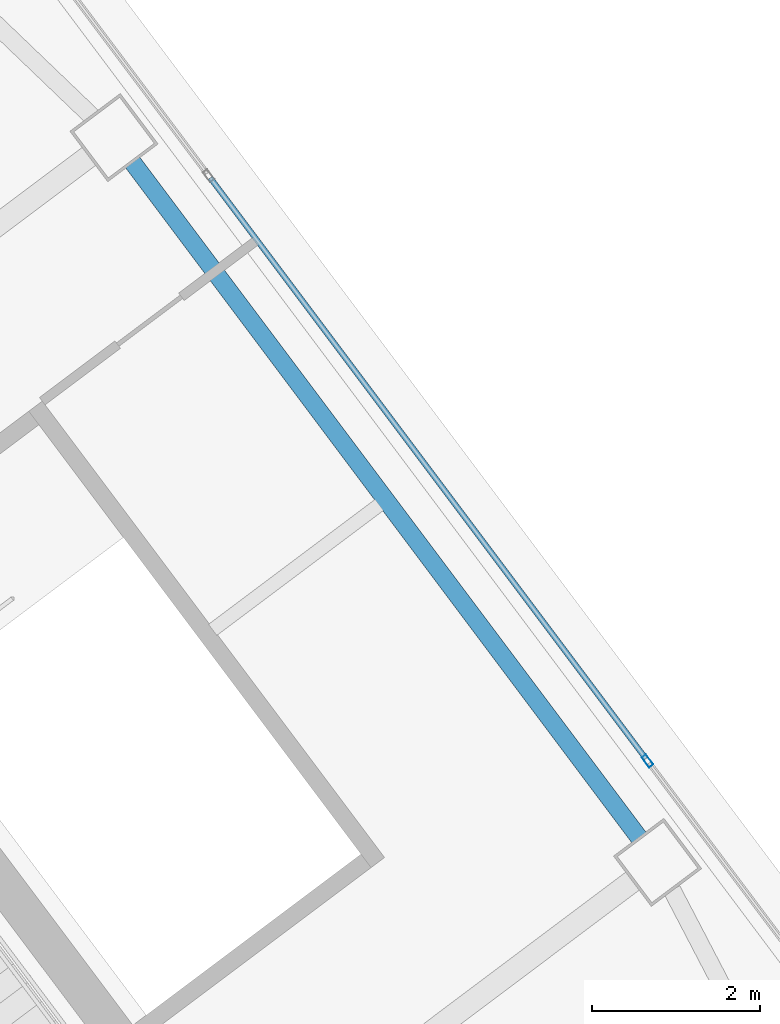
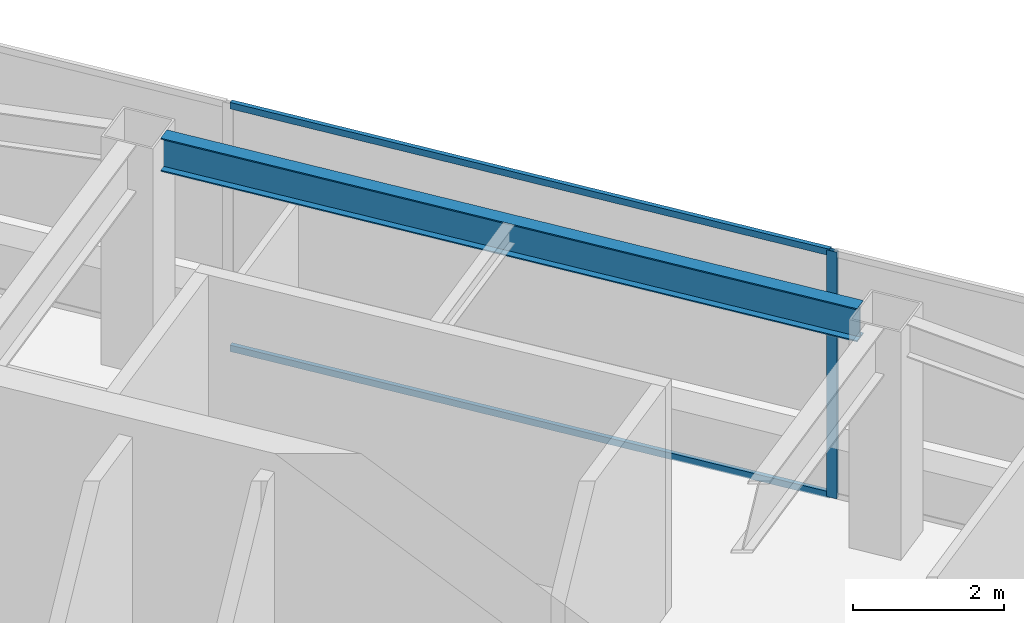
# One storey, part 35 of 51: 3 members, 1 beam, 1 element without a shape of its own.
"""IFC4 building model written with IfcOpenShell, lengths in metres."""

from ifc_helpers import new_model, si_unit, direction, frame, origin, origin_2d, place, context, subcontext, project, spatial, hollow_rectangle, i_section, extrude, material, material_profile, profile_set, type_object, element, aggregate, save


model = new_model("IFC4")

# Units and contexts
model_context = context("Model", 3, precision=1e-05, world=origin(), true_north=direction((0.0, 1.0)))
body_context = subcontext(model_context, "Body", "Model", "MODEL_VIEW")
ifc_project = project(units=[si_unit("LENGTHUNIT", "METRE"), si_unit("AREAUNIT", "SQUARE_METRE"), si_unit("VOLUMEUNIT", "CUBIC_METRE"), si_unit("PLANEANGLEUNIT", "RADIAN"), si_unit("MASSUNIT", "GRAM", prefix="KILO")], contexts=[model_context])

# Site, building, storey
site_placement = place(None, origin())
site = spatial("IfcSite", under=ifc_project, at=site_placement, CompositionType="ELEMENT")
building_placement = place(site_placement, origin())
building = spatial("IfcBuilding", under=site, at=building_placement, Name="Tashvorn Skyway Center", CompositionType="ELEMENT")
storey_placement = place(building_placement, frame((0.0, 0.0, 259.39990234375)))
storey = spatial("IfcBuildingStorey", under=building, at=storey_placement, Name="L70", CompositionType="ELEMENT", Elevation=259.39990234375)

# Beam
ifc_material_1 = material(Name="Steel ASTM A992 Grade 50", Category="steel")
ifc_material_profile_1 = material_profile(ifc_material_1, i_section(OverallWidth=0.2109375, OverallDepth=0.5390625, WebThickness=0.01171875, FlangeThickness=0.018798828125, at=origin_2d()), Name="W21X73")
ifc_profile_set_1 = profile_set([ifc_material_profile_1], Name="Steel ASTM A992 Grade 50")
beam_type = type_object("IfcBeamType", Name="BM-SPANDREL-W21X73", PredefinedType="SPANDREL", material=ifc_profile_set_1)
beam_placement = place(storey_placement, frame((128.41796875, 36.52587890625, 3.4306640625), z_axis=(-0.599988351091, 0.800008736549, 0.0), x_axis=(-0.800008736549, -0.599988351091, 0.0)))
element("IfcBeam", 1, at=beam_placement, inside=storey, type_object=beam_type, Name="Tower 2 L70 Spandrel Beam 05", PredefinedType="SPANDREL", context=body_context, shape_type="SweptSolid", body=[
    extrude(i_section(OverallWidth=0.2109375, OverallDepth=0.5390625, WebThickness=0.01171875, FlangeThickness=0.018798828125, at=origin_2d()), origin(), (0.0, 0.0, 1.0), 10.06005859375),
])

# Curtain wall, members
ifc_material_2 = material(Name="Thermally broken bronze-anodized aluminium 6063-T6", Category="aluminium")
curtain_wall_type = type_object("IfcCurtainWallType", Name="CW-CW-SKY", PredefinedType="NOTDEFINED", material=ifc_material_2)
curtain_wall_placement = place(storey_placement, origin())
curtain_wall = element("IfcCurtainWall", 2, at=curtain_wall_placement, inside=storey, type_object=curtain_wall_type, Name="Tower 2 L70 East Unitised Curtain Wall", PredefinedType="NOTDEFINED")
ifc_material_profile_2 = material_profile(ifc_material_2, hollow_rectangle(XDim=0.06494140625, YDim=0.14990234375, WallThickness=0.00390625, at=origin_2d()), Name="ALU-MULL-65x150")
ifc_profile_set_2 = profile_set([ifc_material_profile_2], Name="Thermally broken bronze-anodized aluminium 6063-T6")
member_type_1 = type_object("IfcMemberType", Name="CWM-CW-SKY", PredefinedType="MULLION", material=ifc_profile_set_2)
member_1_placement = place(storey_placement, frame((128.52001953125, 37.43994140625, 0.0), z_axis=(0.0, 0.0, 1.0), x_axis=(0.799999999998, 0.600000000002, 0.0)))
member_1 = element("IfcMember", 3, at=member_1_placement, type_object=member_type_1, Name="CW-SKY mullion 3", PredefinedType="MULLION", context=body_context, shape_type="SweptSolid", body=[
    extrude(hollow_rectangle(XDim=0.06494140625, YDim=0.14990234375, WallThickness=0.00390625, at=origin_2d()), origin(), (0.0, 0.0, 1.0), 4.0),
])
ifc_material_profile_3 = material_profile(ifc_material_2, hollow_rectangle(XDim=0.06494140625, YDim=0.10498046875, WallThickness=0.00390625, at=origin_2d()), Name="ALU-TRAN-65x105")
ifc_profile_set_3 = profile_set([ifc_material_profile_3], Name="Thermally broken bronze-anodized aluminium 6063-T6")
member_type_2 = type_object("IfcMemberType", Name="CWT-CW-SKY", PredefinedType="USERDEFINED", material=ifc_profile_set_3)
member_2_placement = place(storey_placement, frame((123.3076171875, 44.389892578125, 0.03271484375), z_axis=(0.6, -0.8, 0.0), x_axis=(0.8, 0.6, 0.0)))
member_2 = element("IfcMember", 4, at=member_2_placement, type_object=member_type_2, Name="CW-SKY transom 2.1", ObjectType="TRANSOM", PredefinedType="USERDEFINED", context=body_context, shape_type="SweptSolid", body=[
    extrude(hollow_rectangle(XDim=0.06494140625, YDim=0.10498046875, WallThickness=0.00390625, at=origin_2d()), origin(), (0.0, 0.0, 1.0), 8.65478515625),
])
member_3_placement = place(storey_placement, frame((123.3076171875, 44.389892578125, 3.967529296875), z_axis=(0.6, -0.8, 0.0), x_axis=(0.8, 0.6, 0.0)))
member_3 = element("IfcMember", 5, at=member_3_placement, type_object=member_type_2, Name="CW-SKY transom 2.2", ObjectType="TRANSOM", PredefinedType="USERDEFINED", context=body_context, shape_type="SweptSolid", body=[
    extrude(hollow_rectangle(XDim=0.06494140625, YDim=0.10498046875, WallThickness=0.00390625, at=origin_2d()), origin(), (0.0, 0.0, 1.0), 8.65478515625),
])
aggregate(curtain_wall, [member_1, member_2, member_3])

save(model, "model.ifc")
